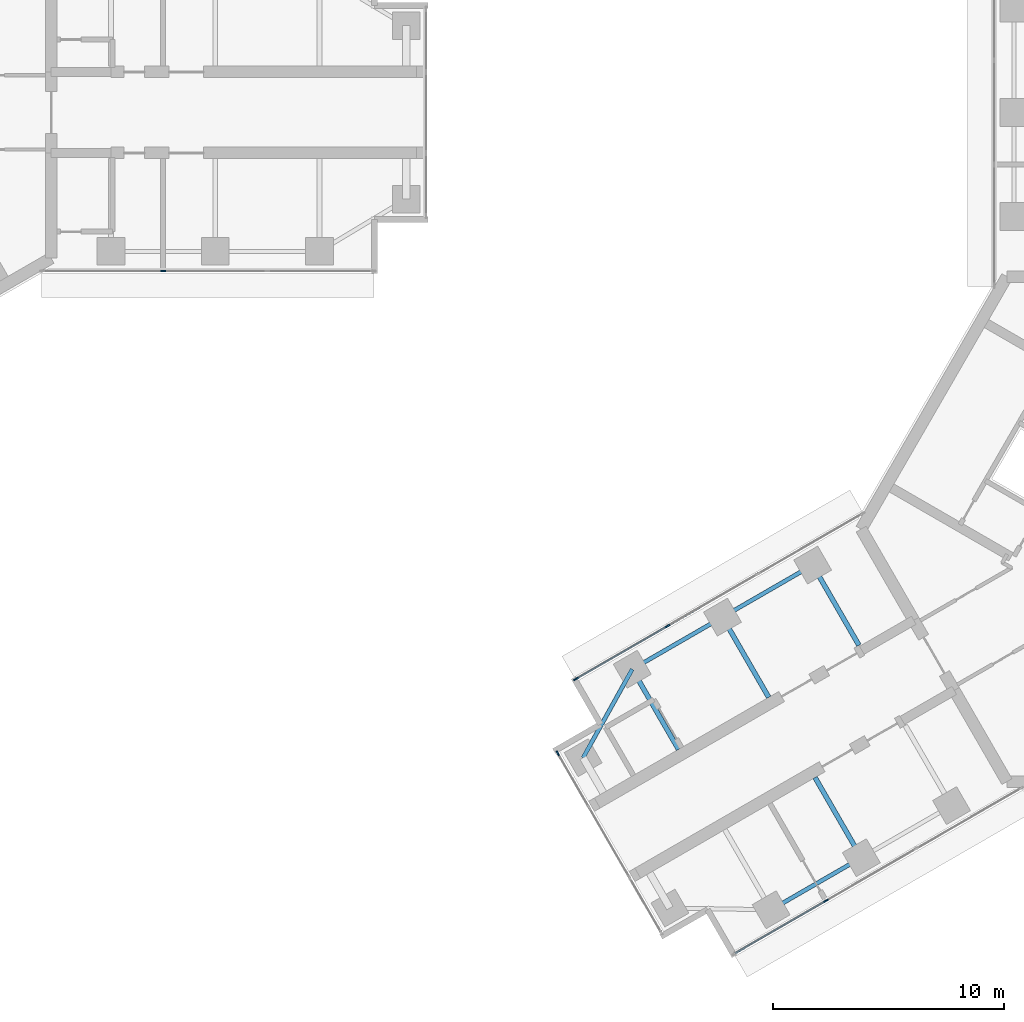
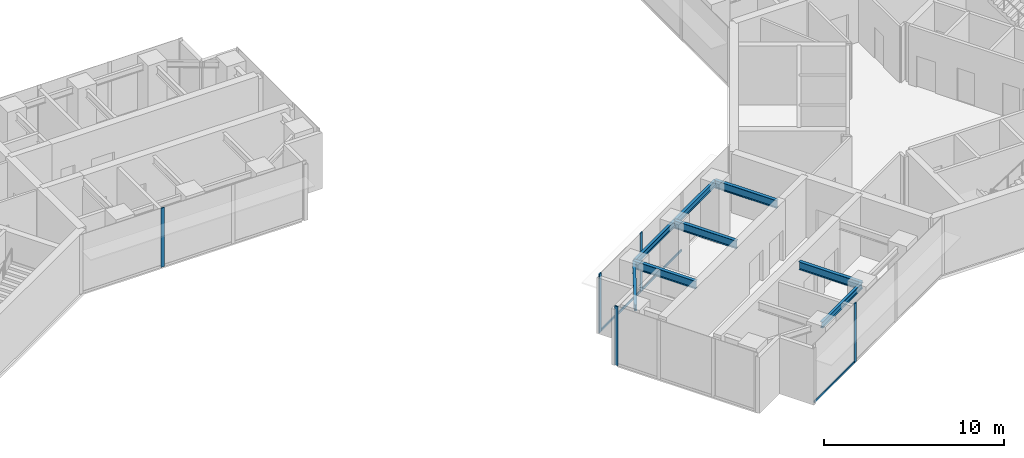
# One storey, part 3 of 17: 8 beams, 8 members, 4 elements without a shape of their own.
"""IFC4 building model written with IfcOpenShell, lengths in metres."""

from ifc_helpers import new_model, si_unit, direction, frame, origin, origin_2d, place, context, subcontext, project, spatial, rectangle, i_section, extrude, material, material_profile, profile_set, type_object, element, aggregate, save


model = new_model("IFC4")

# Units and contexts
model_context = context("Model", 3, precision=1e-05, world=origin(), true_north=direction((0.0, 1.0)))
body_context = subcontext(model_context, "Body", "Model", "MODEL_VIEW")
ifc_project = project(units=[si_unit("LENGTHUNIT", "METRE"), si_unit("AREAUNIT", "SQUARE_METRE"), si_unit("VOLUMEUNIT", "CUBIC_METRE"), si_unit("PLANEANGLEUNIT", "RADIAN"), si_unit("MASSUNIT", "GRAM", prefix="KILO")], contexts=[model_context])

# Site, building, storey
site_placement = place(None, origin())
site = spatial("IfcSite", under=ifc_project, at=site_placement, CompositionType="ELEMENT")
building_placement = place(site_placement, origin())
building = spatial("IfcBuilding", under=site, at=building_placement, Name="Upepo Twin Towers", CompositionType="ELEMENT")
storey_placement = place(building_placement, frame((0.0, 0.0, 178.5)))
storey = spatial("IfcBuildingStorey", under=building, at=storey_placement, Name="L43", CompositionType="ELEMENT", Elevation=178.5)

# Beams
ifc_material_1 = material(Name="Steel S355", Category="steel")
ifc_material_profile_1 = material_profile(ifc_material_1, i_section(OverallWidth=0.177978515625, OverallDepth=0.406494140625, WebThickness=0.0078125, FlangeThickness=0.0126953125, FilletRadius=0.01025390625, at=origin_2d()), Name="UB 406x178x60")
ifc_profile_set_1 = profile_set([ifc_material_profile_1], Name="Steel S355")
beam_type_1 = type_object("IfcBeamType", Name="Beam UB 406x178x60", PredefinedType="BEAM", material=ifc_profile_set_1)
beam_1_placement = place(storey_placement, frame((45.91162109375, -32.196044921875, 3.5966796875), z_axis=(-0.866031096941, -0.499990139034, 0.0), x_axis=(0.499990139034, -0.866031096941, 0.0)))
element("IfcBeam", 1, at=beam_1_placement, inside=storey, type_object=beam_type_1, Name="T2 edge beam BL 18.0-22.5", PredefinedType="BEAM", context=body_context, shape_type="SweptSolid", body=[
    extrude(i_section(OverallWidth=0.177978515625, OverallDepth=0.406494140625, WebThickness=0.0078125, FlangeThickness=0.0126953125, FilletRadius=0.01025390625, at=origin_2d()), origin(), (0.0, 0.0, 1.0), 4.5),
])
beam_2_placement = place(storey_placement, frame((43.80859375, -19.553955078125, 3.5966796875), z_axis=(-0.866017533419, -0.500013631625, 0.0), x_axis=(0.500013631625, -0.866017533419, 0.0)))
element("IfcBeam", 2, at=beam_2_placement, inside=storey, type_object=beam_type_1, Name="T2 edge beam BR 13.5-18.0", PredefinedType="BEAM", context=body_context, shape_type="SweptSolid", body=[
    extrude(i_section(OverallWidth=0.177978515625, OverallDepth=0.406494140625, WebThickness=0.0078125, FlangeThickness=0.0126953125, FilletRadius=0.01025390625, at=origin_2d()), origin(), (0.0, 0.0, 1.0), 4.499755859375),
])
beam_3_placement = place(storey_placement, frame((39.91162109375, -21.803955078125, 3.5966796875), z_axis=(-0.866031096941, -0.499990139034, 0.0), x_axis=(0.499990139034, -0.866031096941, 0.0)))
element("IfcBeam", 3, at=beam_3_placement, inside=storey, type_object=beam_type_1, Name="T2 edge beam BR 18.0-22.5", PredefinedType="BEAM", context=body_context, shape_type="SweptSolid", body=[
    extrude(i_section(OverallWidth=0.177978515625, OverallDepth=0.406494140625, WebThickness=0.0078125, FlangeThickness=0.0126953125, FilletRadius=0.01025390625, at=origin_2d()), origin(), (0.0, 0.0, 1.0), 4.5),
])
beam_4_placement = place(storey_placement, frame((36.014404296875, -24.053955078125, 3.5966796875), z_axis=(-0.485363242752, -0.874312600038, 0.0), x_axis=(0.874312600038, -0.485363242752, 0.0)))
element("IfcBeam", 4, at=beam_4_placement, inside=storey, type_object=beam_type_1, Name="T2 nose edge beam BR", PredefinedType="BEAM", context=body_context, shape_type="SweptSolid", body=[
    extrude(i_section(OverallWidth=0.177978515625, OverallDepth=0.406494140625, WebThickness=0.0078125, FlangeThickness=0.0126953125, FilletRadius=0.01025390625, at=origin_2d()), origin(), (0.0, 0.0, 1.0), 4.373046875),
])
ifc_material_2 = material(Name="Steel S355", Category="steel")
ifc_material_profile_2 = material_profile(ifc_material_2, i_section(OverallWidth=0.209228515625, OverallDepth=0.533203125, WebThickness=0.010009765625, FlangeThickness=0.015625, FilletRadius=0.0126953125, at=origin_2d()), Name="UB 533x210x92")
ifc_profile_set_2 = profile_set([ifc_material_profile_2], Name="Steel S355")
beam_type_2 = type_object("IfcBeamType", Name="Beam UB 533x210x92", PredefinedType="BEAM", material=ifc_profile_set_2)
for number, where, z_axis, x_axis, name in (
    (5, (45.91162109375, -32.196044921875, 3.533447265625), (-0.49999894854, 0.866026010844, 0.0), (-0.866026010844, -0.49999894854, 0.0), "T2 girder BL at 18.0"),
    (6, (43.80859375, -19.553955078125, 3.533447265625), (0.49999894854, -0.866026010844, 0.0), (0.866026010844, 0.49999894854, 0.0), "T2 girder BR at 13.5"),
    (7, (39.91162109375, -21.803955078125, 3.533447265625), (0.49999894854, -0.866026010844, 0.0), (0.866026010844, 0.49999894854, 0.0), "T2 girder BR at 18.0"),
    (8, (36.014404296875, -24.053955078125, 3.533447265625), (0.49999894854, -0.866026010844, 0.0), (0.866026010844, 0.49999894854, 0.0), "T2 girder BR at 22.5"),
):
    element("IfcBeam", number, at=place(storey_placement, frame(where, z_axis=z_axis, x_axis=x_axis)), inside=storey, type_object=beam_type_2, Name=name, PredefinedType="BEAM", context=body_context, shape_type="SweptSolid", body=[
        extrude(i_section(OverallWidth=0.209228515625, OverallDepth=0.533203125, WebThickness=0.010009765625, FlangeThickness=0.015625, FilletRadius=0.0126953125, at=origin_2d()), origin(), (0.0, 0.0, 1.0), 4.0),
    ])

# Curtain wall, member
ifc_material_3 = material(Name="Aluminium and fritted glass", Category="aluminium")
curtain_wall_type = type_object("IfcCurtainWallType", Name="Tower curtain wall TW3, fritted glass", PredefinedType="NOTDEFINED", material=ifc_material_3)
curtain_wall_1_placement = place(storey_placement, origin())
curtain_wall_1 = element("IfcCurtainWall", 9, at=curtain_wall_1_placement, inside=storey, type_object=curtain_wall_type, Name="T1 L43 wing A flank R curtain wall", PredefinedType="NOTDEFINED")
ifc_material_4 = material(Name="Aluminium mullion", Category="aluminium")
ifc_material_profile_3 = material_profile(ifc_material_4, rectangle(XDim=0.06494140625, YDim=0.22509765625, at=origin_2d()), Name="MULLION 65x225")
ifc_profile_set_3 = profile_set([ifc_material_profile_3], Name="Aluminium mullion")
member_type_1 = type_object("IfcMemberType", Name="Mullion 65x225 TW3", PredefinedType="MULLION", material=ifc_profile_set_3)
member_1_placement = place(storey_placement, frame((15.75, -6.85009765625, 0.0), z_axis=(0.0, 0.0, 1.0), x_axis=(0.0, -1.0, 0.0)))
member_1 = element("IfcMember", 10, at=member_1_placement, type_object=member_type_1, Name="T1 L43 wing A flank R curtain wall mullion 3", PredefinedType="MULLION", context=body_context, shape_type="SweptSolid", body=[
    extrude(rectangle(XDim=0.06494140625, YDim=0.22509765625, at=origin_2d()), origin(), (0.0, 0.0, 1.0), 4.0),
])
aggregate(curtain_wall_1, [member_1])

curtain_wall_2_placement = place(storey_placement, origin())
curtain_wall_2 = element("IfcCurtainWall", 11, at=curtain_wall_2_placement, inside=storey, type_object=curtain_wall_type, Name="T2 L43 wing B flank L curtain wall", PredefinedType="NOTDEFINED")
member_2_placement = place(storey_placement, frame((44.387939453125, -34.057373046875, 0.0), z_axis=(0.0, 0.0, 1.0), x_axis=(0.500000026527, -0.866025388469, 0.0)))
member_2 = element("IfcMember", 12, at=member_2_placement, type_object=member_type_1, Name="T2 L43 wing B flank L curtain wall mullion 3", PredefinedType="MULLION", context=body_context, shape_type="SweptSolid", body=[
    extrude(rectangle(XDim=0.06494140625, YDim=0.22509765625, at=origin_2d()), origin(), (0.0, 0.0, 1.0), 4.0),
])

# Curtain wall, members
curtain_wall_3_placement = place(storey_placement, origin())
curtain_wall_3 = element("IfcCurtainWall", 13, at=curtain_wall_3_placement, inside=storey, type_object=curtain_wall_type, Name="T2 L43 wing B flank R curtain wall", PredefinedType="NOTDEFINED")
member_3_placement = place(storey_placement, frame((33.58251953125, -24.4765625, 0.0), z_axis=(0.0, 0.0, 1.0), x_axis=(-0.500000026527, 0.866025388469, 0.0)))
member_3 = element("IfcMember", 14, at=member_3_placement, type_object=member_type_1, Name="T2 L43 wing B flank R curtain wall mullion 1", PredefinedType="MULLION", context=body_context, shape_type="SweptSolid", body=[
    extrude(rectangle(XDim=0.06494140625, YDim=0.22509765625, at=origin_2d()), origin(), (0.0, 0.0, 1.0), 4.0),
])
member_4_placement = place(storey_placement, frame((37.5380859375, -22.192626953125, 0.0), z_axis=(0.0, 0.0, 1.0), x_axis=(-0.500000026527, 0.866025388469, 0.0)))
member_4 = element("IfcMember", 15, at=member_4_placement, type_object=member_type_1, Name="T2 L43 wing B flank R curtain wall mullion 2", PredefinedType="MULLION", context=body_context, shape_type="SweptSolid", body=[
    extrude(rectangle(XDim=0.06494140625, YDim=0.22509765625, at=origin_2d()), origin(), (0.0, 0.0, 1.0), 4.0),
])

# Curtain wall, member
curtain_wall_4_placement = place(storey_placement, origin())
curtain_wall_4 = element("IfcCurtainWall", 16, at=curtain_wall_4_placement, inside=storey, type_object=curtain_wall_type, Name="T2 L43 wing B nose curtain wall", PredefinedType="NOTDEFINED")
member_5_placement = place(storey_placement, frame((32.796875, -27.68115234375, 0.0), z_axis=(0.0, 0.0, 1.0), x_axis=(0.866025386174, 0.500000030502, 0.0)))
member_5 = element("IfcMember", 17, at=member_5_placement, type_object=member_type_1, Name="T2 L43 wing B nose curtain wall mullion 1", PredefinedType="MULLION", context=body_context, shape_type="SweptSolid", body=[
    extrude(rectangle(XDim=0.06494140625, YDim=0.22509765625, at=origin_2d()), origin(), (0.0, 0.0, 1.0), 4.0),
])
aggregate(curtain_wall_4, [member_5])

# Member
ifc_material_5 = material(Name="Aluminium transom", Category="aluminium")
ifc_material_profile_4 = material_profile(ifc_material_5, rectangle(XDim=0.06494140625, YDim=0.14990234375, at=origin_2d()), Name="TRANSOM 65x150")
ifc_profile_set_4 = profile_set([ifc_material_profile_4], Name="Aluminium transom")
member_type_2 = type_object("IfcMemberType", Name="Transom 65x150 TW3", PredefinedType="USERDEFINED", material=ifc_profile_set_4)
member_6_placement = place(storey_placement, frame((44.35986328125, -34.073486328125, 0.074951171875), z_axis=(-0.866035699072, -0.499982167615, 0.0), x_axis=(0.499982167615, -0.866035699072, 0.0)))
member_6 = element("IfcMember", 18, at=member_6_placement, type_object=member_type_2, Name="T2 L43 wing B flank L curtain wall transom 3", ObjectType="TRANSOM", PredefinedType="USERDEFINED", context=body_context, shape_type="SweptSolid", body=[
    extrude(rectangle(XDim=0.06494140625, YDim=0.14990234375, at=origin_2d()), origin(), (0.0, 0.0, 1.0), 4.502685546875),
])

aggregate(curtain_wall_2, [member_2, member_6])

member_7_placement = place(storey_placement, frame((33.610595703125, -24.460205078125, 0.074951171875), z_axis=(0.866022143554, 0.500005646842, 0.0), x_axis=(-0.500005646842, 0.866022143554, 0.0)))
member_7 = element("IfcMember", 19, at=member_7_placement, type_object=member_type_2, Name="T2 L43 wing B flank R curtain wall transom 1", ObjectType="TRANSOM", PredefinedType="USERDEFINED", context=body_context, shape_type="SweptSolid", body=[
    extrude(rectangle(XDim=0.06494140625, YDim=0.14990234375, at=origin_2d()), origin(), (0.0, 0.0, 1.0), 4.50244140625),
])

member_8_placement = place(storey_placement, frame((37.566162109375, -22.176513671875, 0.074951171875), z_axis=(0.866022410713, 0.500005184116, 0.0), x_axis=(-0.500005184116, 0.866022410713, 0.0)))
member_8 = element("IfcMember", 20, at=member_8_placement, type_object=member_type_2, Name="T2 L43 wing B flank R curtain wall transom 2", ObjectType="TRANSOM", PredefinedType="USERDEFINED", context=body_context, shape_type="SweptSolid", body=[
    extrude(rectangle(XDim=0.06494140625, YDim=0.14990234375, at=origin_2d()), origin(), (0.0, 0.0, 1.0), 4.43505859375),
])

aggregate(curtain_wall_3, [member_3, member_4, member_7, member_8])

save(model, "model.ifc")
